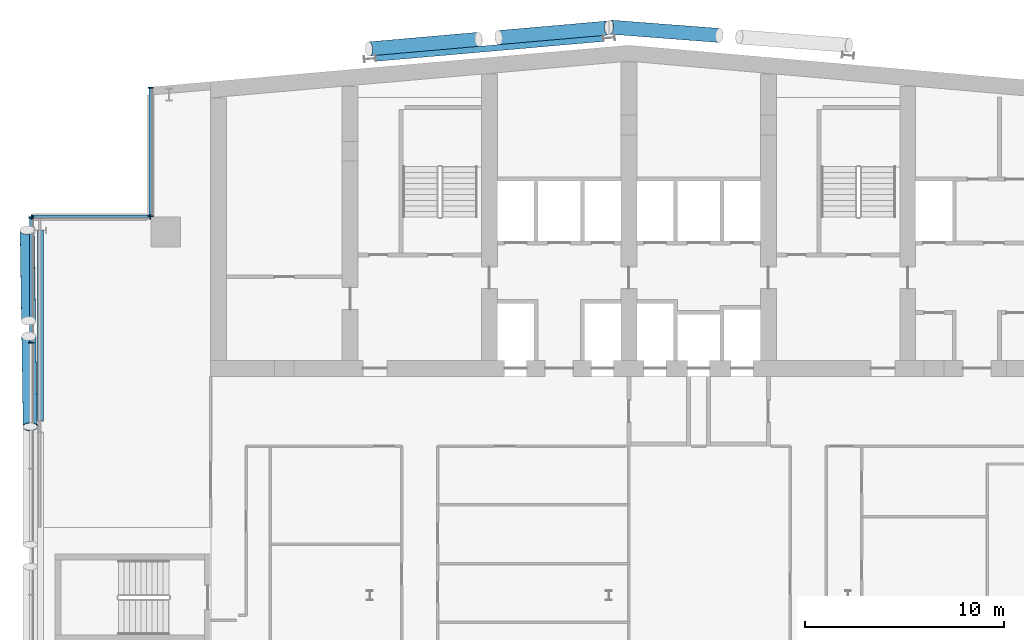
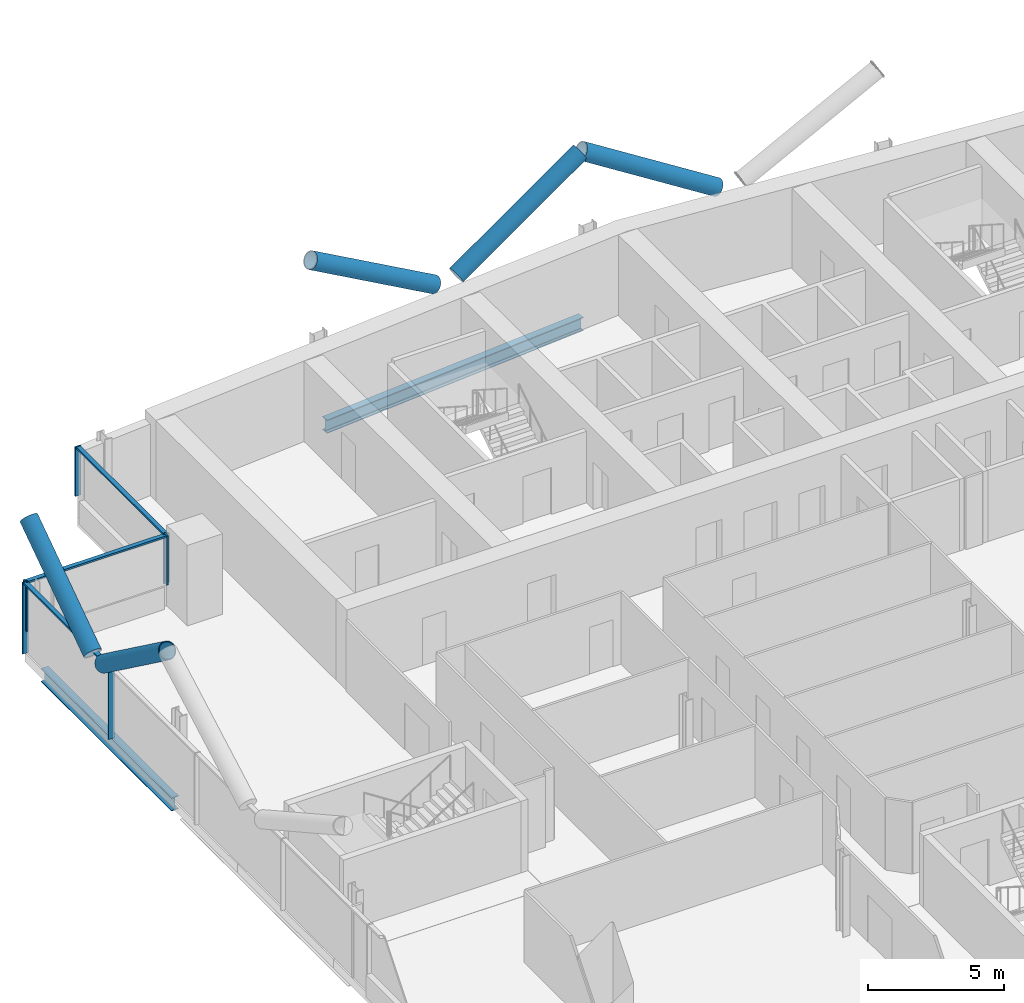
# One storey, part 9 of 26: 14 members, 2 beams, 3 elements without a shape of their own.
"""IFC4 building model written with IfcOpenShell, lengths in metres."""

from ifc_helpers import new_model, si_unit, direction, frame, origin, origin_2d, place, context, subcontext, project, spatial, rectangle, hollow_circle, i_section, extrude, material, material_profile, profile_set, type_object, element, aggregate, save


model = new_model("IFC4")

# Units and contexts
model_context = context("Model", 3, precision=1e-05, world=origin(), true_north=direction((0.0, 1.0)))
body_context = subcontext(model_context, "Body", "Model", "MODEL_VIEW")
ifc_project = project(units=[si_unit("LENGTHUNIT", "METRE"), si_unit("AREAUNIT", "SQUARE_METRE"), si_unit("VOLUMEUNIT", "CUBIC_METRE"), si_unit("PLANEANGLEUNIT", "RADIAN"), si_unit("MASSUNIT", "GRAM", prefix="KILO")], contexts=[model_context])

# Site, building, storey
site_placement = place(None, origin())
site = spatial("IfcSite", under=ifc_project, at=site_placement, CompositionType="ELEMENT")
building_placement = place(site_placement, origin())
building = spatial("IfcBuilding", under=site, at=building_placement, Name="Wharfspan Tower", CompositionType="ELEMENT")
storey_placement = place(building_placement, frame((0.0, 0.0, 173.5)))
storey = spatial("IfcBuildingStorey", under=building, at=storey_placement, Name="L42", CompositionType="ELEMENT", Elevation=173.5)

# Beams
ifc_material_1 = material(Name="Steel S355J2", Category="steel")
ifc_material_profile_1 = material_profile(ifc_material_1, i_section(OverallWidth=0.300049, OverallDepth=0.600098, WebThickness=0.015381, FlangeThickness=0.030029, FilletRadius=0.0271, at=origin_2d()))
ifc_profile_set_1 = profile_set([ifc_material_profile_1], Name="Steel S355J2")
beam_type = type_object("IfcBeamType", Name="Edge beam HEB 600", PredefinedType="SPANDREL", material=ifc_profile_set_1)
beam_1_placement = place(storey_placement, frame((35.705078, 50.961426, -0.699951), z_axis=(-0.996194, -0.087158, 0.0), x_axis=(0.087158, -0.996194, 0.0)))
element("IfcBeam", 1, at=beam_1_placement, inside=storey, type_object=beam_type, Name="Edge beam N1 L42 R.2 to R.1", PredefinedType="SPANDREL", context=body_context, shape_type="SweptSolid", body=[
    extrude(i_section(OverallWidth=0.300049, OverallDepth=0.600098, WebThickness=0.015381, FlangeThickness=0.030029, FilletRadius=0.0271, at=origin_2d()), origin(), (0.0, 0.0, 1.0), 11.453857),
])
beam_2_placement = place(storey_placement, frame((7.450439, 41.32666, -0.699951), z_axis=(-5.1e-05, -1.0, 0.0), x_axis=(1.0, -5.1e-05, 0.0)))
element("IfcBeam", 2, at=beam_2_placement, inside=storey, type_object=beam_type, Name="Edge beam W L42 PNRW-H.1 to PW.1", PredefinedType="SPANDREL", context=body_context, shape_type="SweptSolid", body=[
    extrude(i_section(OverallWidth=0.300049, OverallDepth=0.600098, WebThickness=0.015381, FlangeThickness=0.030029, FilletRadius=0.0271, at=origin_2d()), origin(), (0.0, 0.0, 1.0), 9.553955),
])

# Curtain wall, members
ifc_material_2 = material(Name="Aluminium 6063-T6", Category="aluminium")
curtain_wall_type = type_object("IfcCurtainWallType", Name="CURTAIN WALL PROW AND END", PredefinedType="NOTDEFINED", material=ifc_material_2)
curtain_wall_1_placement = place(storey_placement, origin())
curtain_wall_1 = element("IfcCurtainWall", 3, at=curtain_wall_1_placement, inside=storey, type_object=curtain_wall_type, Name="Curtain wall NRW-V", PredefinedType="NOTDEFINED")
ifc_material_profile_2 = material_profile(ifc_material_2, rectangle(XDim=0.23999, YDim=0.060059, at=origin_2d()))
ifc_profile_set_2 = profile_set([ifc_material_profile_2], Name="Aluminium 6063-T6")
member_type_1 = type_object("IfcMemberType", Name="MULLION PROW AND END 60x240", PredefinedType="MULLION", material=ifc_profile_set_2)
member_1_placement = place(storey_placement, frame((13.0, 48.494873, 1.0), z_axis=(0.0, 0.0, 1.0), x_axis=(1.0, 0.0, 0.0)))
member_1 = element("IfcMember", 4, at=member_1_placement, type_object=member_type_1, Name="Curtain wall NRW-V mullion 1", PredefinedType="MULLION", context=body_context, shape_type="SweptSolid", body=[
    extrude(rectangle(XDim=0.23999, YDim=0.060059, at=origin_2d()), origin(), (0.0, 0.0, 1.0), 2.199951),
])
member_2_placement = place(storey_placement, frame((13.0, 42.030029, 1.0), z_axis=(0.0, 0.0, 1.0), x_axis=(1.0, 0.0, 0.0)))
member_2 = element("IfcMember", 5, at=member_2_placement, type_object=member_type_1, Name="Curtain wall NRW-V mullion 2", PredefinedType="MULLION", context=body_context, shape_type="SweptSolid", body=[
    extrude(rectangle(XDim=0.23999, YDim=0.060059, at=origin_2d()), origin(), (0.0, 0.0, 1.0), 2.199951),
])

curtain_wall_2_placement = place(storey_placement, origin())
curtain_wall_2 = element("IfcCurtainWall", 6, at=curtain_wall_2_placement, inside=storey, type_object=curtain_wall_type, Name="Curtain wall NRW-H", PredefinedType="NOTDEFINED")
member_3_placement = place(storey_placement, frame((12.969971, 42.0, 1.0), z_axis=(0.0, 0.0, 1.0), x_axis=(0.0, -1.0, 0.0)))
member_3 = element("IfcMember", 7, at=member_3_placement, type_object=member_type_1, Name="Curtain wall NRW-H mullion 1", PredefinedType="MULLION", context=body_context, shape_type="SweptSolid", body=[
    extrude(rectangle(XDim=0.23999, YDim=0.060059, at=origin_2d()), origin(), (0.0, 0.0, 1.0), 2.199951),
])
member_4_placement = place(storey_placement, frame((7.030029, 42.0, 1.0), z_axis=(0.0, 0.0, 1.0), x_axis=(0.0, -1.0, 0.0)))
member_4 = element("IfcMember", 8, at=member_4_placement, type_object=member_type_1, Name="Curtain wall NRW-H mullion 2", PredefinedType="MULLION", context=body_context, shape_type="SweptSolid", body=[
    extrude(rectangle(XDim=0.23999, YDim=0.060059, at=origin_2d()), origin(), (0.0, 0.0, 1.0), 2.199951),
])

curtain_wall_3_placement = place(storey_placement, origin())
curtain_wall_3 = element("IfcCurtainWall", 9, at=curtain_wall_3_placement, inside=storey, type_object=curtain_wall_type, Name="Curtain wall W", PredefinedType="NOTDEFINED")
member_5_placement = place(storey_placement, frame((7.0, 41.969971, 0.0), z_axis=(0.0, 0.0, 1.0), x_axis=(1.0, 0.0, 0.0)))
member_5 = element("IfcMember", 10, at=member_5_placement, type_object=member_type_1, Name="Curtain wall W mullion 1", PredefinedType="MULLION", context=body_context, shape_type="SweptSolid", body=[
    extrude(rectangle(XDim=0.23999, YDim=0.060059, at=origin_2d()), origin(), (0.0, 0.0, 1.0), 3.199951),
])
member_6_placement = place(storey_placement, frame((7.0, 35.679932, 0.0), z_axis=(0.0, 0.0, 1.0), x_axis=(1.0, 0.0, 0.0)))
member_6 = element("IfcMember", 11, at=member_6_placement, type_object=member_type_1, Name="Curtain wall W mullion 2", PredefinedType="MULLION", context=body_context, shape_type="SweptSolid", body=[
    extrude(rectangle(XDim=0.23999, YDim=0.060059, at=origin_2d()), origin(), (0.0, 0.0, 1.0), 3.199951),
])

# Members
ifc_material_3 = material(Name="Steel S460NH", Category="steel")
ifc_material_profile_3 = material_profile(ifc_material_3, hollow_circle(Radius=0.355469, WallThickness=0.035889, at=origin_2d()))
ifc_profile_set_3 = profile_set([ifc_material_profile_3], Name="Steel S460NH")
member_type_2 = type_object("IfcMemberType", Name="Mega brace CHS 711x36", PredefinedType="BRACE", material=ifc_profile_set_3)
for number, where, z_axis, x_axis, name in (
    (12, (6.872803, 36.009033, 3.185059), (0.01285, -0.807711, 0.589439), (0.999876, 0.015905, -3e-06), "Mega brace W4 L42 part 2"),
    (13, (6.860352, 36.790771, 3.185059), (-0.01285, 0.807696, 0.589459), (-0.999875, -0.015906, -2e-06), "Mega brace W4 L42 part 4"),
):
    element("IfcMember", number, at=place(storey_placement, frame(where, z_axis=z_axis, x_axis=x_axis)), inside=storey, type_object=member_type_2, Name=name, PredefinedType="BRACE", context=body_context, shape_type="SweptSolid", body=[
        extrude(hollow_circle(Radius=0.355469, WallThickness=0.035889, at=origin_2d()), origin(), (0.0, 0.0, 1.0), 5.623779),
    ])
member_7_placement = place(storey_placement, frame((30.461426, 51.00708, 3.203125), z_axis=(0.855094, 0.074807, 0.513049), x_axis=(-0.087152, 0.996192, 2e-06)))
element("IfcMember", 14, at=member_7_placement, inside=storey, type_object=member_type_2, Name="Mega brace N7 L42 part 2", PredefinedType="BRACE", context=body_context, shape_type="SweptSolid", body=[
    extrude(hollow_circle(Radius=0.355469, WallThickness=0.035889, at=origin_2d()), origin(), (0.0, 0.0, 1.0), 6.426025),
])
member_8_placement = place(storey_placement, frame((29.450928, 50.918701, 3.203125), z_axis=(-0.855083, -0.074809, 0.513065), x_axis=(0.087154, -0.996196, -1e-06)))
element("IfcMember", 15, at=member_8_placement, inside=storey, type_object=member_type_2, Name="Mega brace N7 L42 part 4", PredefinedType="BRACE", context=body_context, shape_type="SweptSolid", body=[
    extrude(hollow_circle(Radius=0.355469, WallThickness=0.035889, at=origin_2d()), origin(), (0.0, 0.0, 1.0), 6.425781),
])
member_9_placement = place(storey_placement, frame((41.533447, 51.114502, 3.203125), z_axis=(-0.855612, 0.065363, 0.513474), x_axis=(-0.07617, -0.997093, 2e-06)))
element("IfcMember", 16, at=member_9_placement, inside=storey, type_object=member_type_2, Name="Mega brace N8 L42 part 4", PredefinedType="BRACE", context=body_context, shape_type="SweptSolid", body=[
    extrude(hollow_circle(Radius=0.355469, WallThickness=0.035889, at=origin_2d()), origin(), (0.0, 0.0, 1.0), 6.420654),
])

# Member
ifc_material_profile_4 = material_profile(ifc_material_2, rectangle(XDim=0.179932, YDim=0.080078, at=origin_2d()))
ifc_profile_set_4 = profile_set([ifc_material_profile_4], Name="Aluminium 6063-T6")
member_type_3 = type_object("IfcMemberType", Name="TRANSOM PROW AND END 80x180", PredefinedType="USERDEFINED", material=ifc_profile_set_4)
member_10_placement = place(storey_placement, frame((13.0, 48.464844, 3.159912), z_axis=(0.0, -1.0, 0.0), x_axis=(1.0, 0.0, 0.0)))
member_10 = element("IfcMember", 17, at=member_10_placement, type_object=member_type_3, Name="Curtain wall NRW-V transom 1", ObjectType="TRANSOM", PredefinedType="USERDEFINED", context=body_context, shape_type="SweptSolid", body=[
    extrude(rectangle(XDim=0.179932, YDim=0.080078, at=origin_2d()), origin(), (0.0, 0.0, 1.0), 6.404785),
])

aggregate(curtain_wall_1, [member_1, member_2, member_10])

member_11_placement = place(storey_placement, frame((12.939941, 42.0, 3.159912), z_axis=(-1.0, 0.0, 0.0), x_axis=(0.0, -1.0, 0.0)))
member_11 = element("IfcMember", 18, at=member_11_placement, type_object=member_type_3, Name="Curtain wall NRW-H transom 1", ObjectType="TRANSOM", PredefinedType="USERDEFINED", context=body_context, shape_type="SweptSolid", body=[
    extrude(rectangle(XDim=0.179932, YDim=0.080078, at=origin_2d()), origin(), (0.0, 0.0, 1.0), 5.879883),
])

aggregate(curtain_wall_2, [member_3, member_4, member_11])

member_12_placement = place(storey_placement, frame((7.0, 41.939941, 3.159912), z_axis=(0.0, -1.0, 0.0), x_axis=(1.0, 0.0, 0.0)))
member_12 = element("IfcMember", 19, at=member_12_placement, type_object=member_type_3, Name="Curtain wall W transom 1", ObjectType="TRANSOM", PredefinedType="USERDEFINED", context=body_context, shape_type="SweptSolid", body=[
    extrude(rectangle(XDim=0.179932, YDim=0.080078, at=origin_2d()), origin(), (0.0, 0.0, 1.0), 6.22998),
])

aggregate(curtain_wall_3, [member_5, member_6, member_12])

save(model, "model.ifc")
